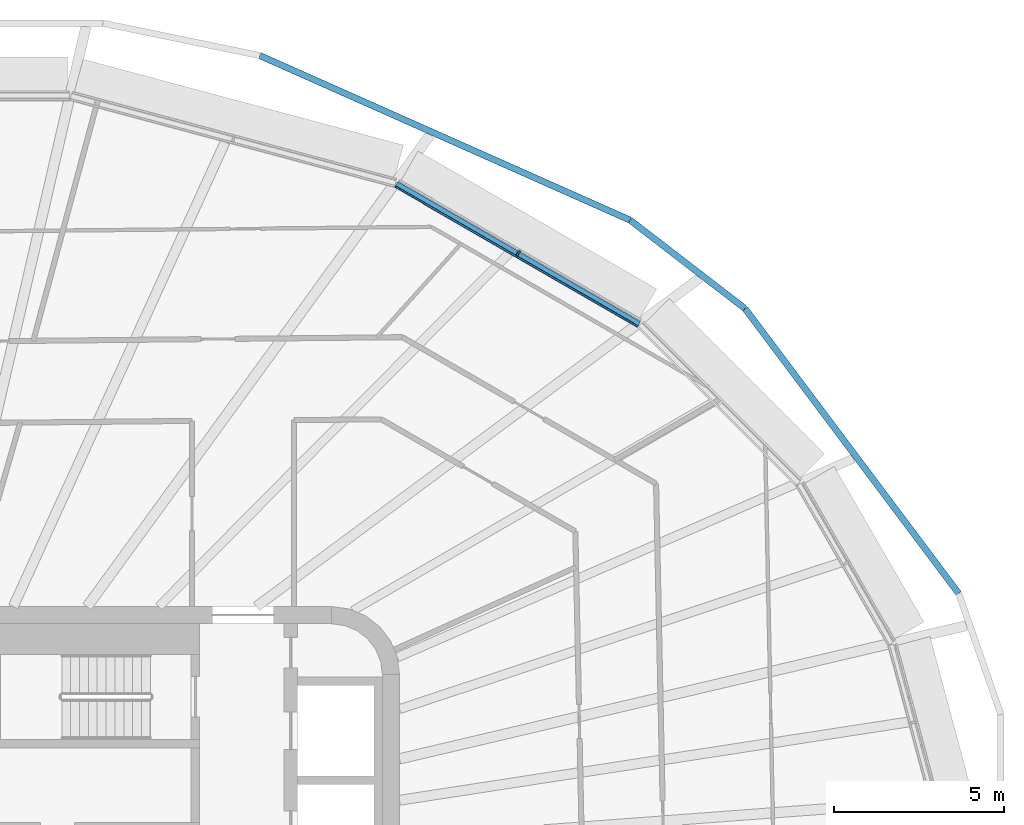
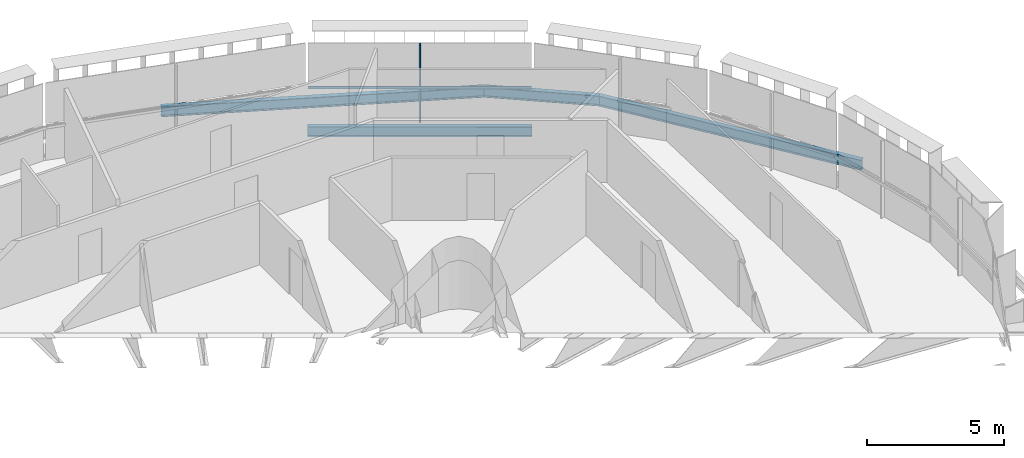
# One storey, part 7 of 21: 4 beams, 2 members, 1 element without a shape of its own.
"""IFC4 building model written with IfcOpenShell, lengths in metres."""

import ifcopenshell
import ifcopenshell.guid

model = None  # the IFC model being written
_history = None  # IfcOwnerHistory: only IFC2X3 demands one
_inside = {}  # id of a spatial element -> (the spatial element, [elements in it])
_under = {}  # id of a project, library or spatial element -> (it, [spatial elements below it])
_declared = {}  # id of a project -> (the project, [libraries it declares])
_typed = {}  # id of a type object -> (the type object, [elements of that type])
_made_of = {}  # id of a material, layer set ... -> (it, [elements and type objects made of it])


def new_model(schema):
    """Start an empty IFC model of exactly this schema.

    Asked for "IFC4X3", IfcOpenShell would pick the latest addendum, in which some entities
    have other attributes; the version numbers below select the first issue.
    IFC2X3 requires an IfcOwnerHistory on every rooted entity: one is made here for all.
    """
    global model, _history
    if schema == "IFC4X3":
        model = ifcopenshell.file(schema_version=(4, 3, 0, 0))
    else:
        model = ifcopenshell.file(schema=schema)
    _inside.clear()
    _under.clear()
    _declared.clear()
    _typed.clear()
    _made_of.clear()
    _history = None
    if model.schema == "IFC2X3":
        org = make("IfcOrganization", Name="unknown")
        user = make(
            "IfcPersonAndOrganization",
            ThePerson=make("IfcPerson", FamilyName="unknown"),
            TheOrganization=org,
        )
        app = make(
            "IfcApplication",
            ApplicationDeveloper=org,
            Version="unknown",
            ApplicationFullName="unknown",
            ApplicationIdentifier="unknown",
        )
        _history = make(
            "IfcOwnerHistory",
            OwningUser=user,
            OwningApplication=app,
            ChangeAction="ADDED",
            CreationDate=0,
        )
    return model


def make(cls, **values):
    """One entity of the class cls with the attributes given. An attribute that is None is left unset."""
    return model.create_entity(
        cls, **{name: value for name, value in values.items() if value is not None}
    )


def rooted(cls, **values):
    """An entity with a GlobalId (a new one), such as an element, a storey or a relation."""
    return make(cls, GlobalId=ifcopenshell.guid.new(), OwnerHistory=_history, **values)


def si_unit(unit_type, name, prefix=None):
    """IfcSIUnit, for example si_unit("LENGTHUNIT", "METRE", prefix="MILLI")."""
    return make("IfcSIUnit", UnitType=unit_type, Prefix=prefix, Name=name)


def assignment(units):
    """IfcUnitAssignment: the units of a project."""
    return None if units is None else make("IfcUnitAssignment", Units=units)


def point(xyz):
    """IfcCartesianPoint."""
    return None if xyz is None else make("IfcCartesianPoint", Coordinates=xyz)


def direction(xyz):
    """IfcDirection."""
    return None if xyz is None else make("IfcDirection", DirectionRatios=xyz)


def frame(location, z_axis=None, x_axis=None):
    """IfcAxis2Placement3D, a coordinate frame: its origin and axes. An axis left out is left unset."""
    return make(
        "IfcAxis2Placement3D",
        Location=point(location),
        Axis=direction(z_axis),
        RefDirection=direction(x_axis),
    )


def frame_2d(location, x_axis=None):
    """IfcAxis2Placement2D, a coordinate frame in the plane: its origin and x axis."""
    return make(
        "IfcAxis2Placement2D", Location=point(location), RefDirection=direction(x_axis)
    )


def origin():
    """The frame at (0, 0, 0) with its axes left unset."""
    return frame((0.0, 0.0, 0.0))


def origin_2d():
    """The frame at (0, 0) in the plane with its x axis left unset."""
    return frame_2d((0.0, 0.0))


def place(relative_to, where):
    """IfcLocalPlacement: puts the frame where relative to a parent placement (None: the world)."""
    return make(
        "IfcLocalPlacement", PlacementRelTo=relative_to, RelativePlacement=where
    )


def context(
    kind, dimensions, precision=None, world=None, true_north=None, identifier=None
):
    """IfcGeometricRepresentationContext, for example the 3D "Model" context."""
    return make(
        "IfcGeometricRepresentationContext",
        ContextIdentifier=identifier,
        ContextType=kind,
        CoordinateSpaceDimension=dimensions,
        Precision=precision,
        WorldCoordinateSystem=world,
        TrueNorth=true_north,
    )


def subcontext(parent, identifier, kind, view, scale=None):
    """IfcGeometricRepresentationSubContext, for example "Body" below "Model"."""
    return make(
        "IfcGeometricRepresentationSubContext",
        ContextIdentifier=identifier,
        ContextType=kind,
        ParentContext=parent,
        TargetScale=scale,
        TargetView=view,
    )


def project(units=None, contexts=None):
    """IfcProject with its units and contexts."""
    return rooted(
        "IfcProject",
        Name="project",
        RepresentationContexts=contexts,
        UnitsInContext=assignment(units),
    )


def spatial(cls, under=None, at=None, **own):
    """A site, building, storey or space (cls), placed at a placement, below another one or the project."""
    s = rooted(cls, ObjectPlacement=at, **own)
    if under is not None:
        _under.setdefault(under.id(), (under, []))[1].append(s)
    return s


def profile(cls, at=None, kind="AREA", **sizes):
    """A parametric profile (cls). Its sizes go by their IFC names, for example OverallWidth=200.0."""
    return make(cls, ProfileType=kind, Position=at, **sizes)


def rectangle(**sizes):
    """IfcRectangleProfileDef."""
    return profile("IfcRectangleProfileDef", **sizes)


def i_section(**sizes):
    """IfcIShapeProfileDef."""
    return profile("IfcIShapeProfileDef", **sizes)


def extrude(swept, where, along, depth):
    """IfcExtrudedAreaSolid: the profile swept, set in the frame where, extruded along a direction by depth."""
    return make(
        "IfcExtrudedAreaSolid",
        SweptArea=swept,
        Position=where,
        ExtrudedDirection=direction(along),
        Depth=depth,
    )


def shape(context_of_items, identifier, shape_type, items):
    """IfcShapeRepresentation: the items that make up one representation, for example the "Body"."""
    return make(
        "IfcShapeRepresentation",
        ContextOfItems=context_of_items,
        RepresentationIdentifier=identifier,
        RepresentationType=shape_type,
        Items=items,
    )


def material(Name=None, Category=None):
    """IfcMaterial."""
    return make("IfcMaterial", Name=Name, Category=Category)


def layer(
    of_material, thickness, ventilated=None, Name=None, Category=None, Priority=None
):
    """IfcMaterialLayer: one layer of a wall or slab, of a material (None: an air gap)."""
    return make(
        "IfcMaterialLayer",
        Material=of_material,
        LayerThickness=thickness,
        IsVentilated=ventilated,
        Name=Name,
        Category=Category,
        Priority=Priority,
    )


def layer_set(layers, Name=None):
    """IfcMaterialLayerSet."""
    return make("IfcMaterialLayerSet", MaterialLayers=layers, LayerSetName=Name)


def material_profile(
    of_material, cross_section, Name=None, Category=None, Priority=None
):
    """IfcMaterialProfile: a cross section and its material."""
    return make(
        "IfcMaterialProfile",
        Name=Name,
        Material=of_material,
        Profile=cross_section,
        Priority=Priority,
        Category=Category,
    )


def profile_set(profiles, Name=None, composite=None):
    """IfcMaterialProfileSet."""
    return make(
        "IfcMaterialProfileSet",
        Name=Name,
        MaterialProfiles=profiles,
        CompositeProfile=composite,
    )


def made_of(thing, what):
    """Note that an element or type object is made of a material, layer set ...; save() writes the relation."""
    if what is not None:
        _made_of.setdefault(what.id(), (what, []))[1].append(thing)
    return thing


def type_object(cls, material=None, **own):
    """A type object (cls), such as IfcWallType, which elements share."""
    return made_of(rooted(cls, **own), material)


def element(
    cls,
    number,
    at=None,
    inside=None,
    cuts=None,
    type_object=None,
    material=None,
    context=None,
    identifier="Body",
    shape_type=None,
    held_by="IfcProductDefinitionShape",
    body=None,
    shapes=None,
    **own,
):
    """One element of the class cls, such as IfcWall. Its Tag is "e" and its number.

    at: its placement. inside: the storey or other place that contains it. cuts: it is an
    opening in that element (IfcRelVoidsElement). A single representation is given by context,
    identifier, shape_type and body (its items); several are given by shapes. held_by: the class
    of the entity that holds the representations. save() writes the other relations.
    """
    e = rooted(cls, Tag="e%d" % number, ObjectPlacement=at, **own)
    if body is not None:
        shapes = [shape(context, identifier, shape_type, body)]
    if shapes is not None:
        e.Representation = make(held_by, Representations=shapes)
    if inside is not None:
        _inside.setdefault(inside.id(), (inside, []))[1].append(e)
    if cuts is not None:
        rooted(
            "IfcRelVoidsElement", RelatingBuildingElement=cuts, RelatedOpeningElement=e
        )
    if type_object is not None:
        _typed.setdefault(type_object.id(), (type_object, []))[1].append(e)
    return made_of(e, material)


def aggregate(whole, parts):
    """IfcRelAggregates: a whole, such as a stair, and the parts it consists of."""
    return rooted("IfcRelAggregates", RelatingObject=whole, RelatedObjects=parts)


def save(model, path):
    """Write the relations noted so far, then the file.

    IfcRelAggregates (storeys below a building ...), IfcRelContainedInSpatialStructure (elements
    in a storey), IfcRelDefinesByType, IfcRelAssociatesMaterial and IfcRelDeclares: one each for
    every whole, place, type object, material and project.
    """
    for whole, parts in _under.values():
        aggregate(whole, parts)
    for where, things in _inside.values():
        rooted(
            "IfcRelContainedInSpatialStructure",
            RelatedElements=things,
            RelatingStructure=where,
        )
    for kind, things in _typed.values():
        rooted("IfcRelDefinesByType", RelatedObjects=things, RelatingType=kind)
    for what, things in _made_of.values():
        rooted("IfcRelAssociatesMaterial", RelatedObjects=things, RelatingMaterial=what)
    for by, libraries in _declared.values():
        rooted("IfcRelDeclares", RelatingContext=by, RelatedDefinitions=libraries)
    model.write(path)


model = new_model("IFC4")

# Units and contexts
model_context = context("Model", 3, precision=1e-05, world=origin(), true_north=direction((0.0, 1.0)))
body_context = subcontext(model_context, "Body", "Model", "MODEL_VIEW")
ifc_project = project(units=[si_unit("LENGTHUNIT", "METRE"), si_unit("AREAUNIT", "SQUARE_METRE"), si_unit("VOLUMEUNIT", "CUBIC_METRE"), si_unit("PLANEANGLEUNIT", "RADIAN"), si_unit("MASSUNIT", "GRAM", prefix="KILO")], contexts=[model_context])

# Site, building, storey
site_placement = place(None, origin())
site = spatial("IfcSite", under=ifc_project, at=site_placement, CompositionType="ELEMENT")
building_placement = place(site_placement, origin())
building = spatial("IfcBuilding", under=site, at=building_placement, Name="Sahrelin Media Tower", CompositionType="ELEMENT")
storey_placement = place(building_placement, frame((0.0, 0.0, 193.60009765625)))
storey = spatial("IfcBuildingStorey", under=building, at=storey_placement, Name="L41", CompositionType="ELEMENT", Elevation=193.60009765625)

# Beam
ifc_material_1 = material(Name="Steel S355", Category="steel")
ifc_material_profile_1 = material_profile(ifc_material_1, i_section(OverallWidth=0.1904296875, OverallDepth=0.45703125, WebThickness=0.009033203125, FlangeThickness=0.014404296875, FilletRadius=0.01025390625, at=origin_2d()), Name="UB 457x191x74")
ifc_profile_set_1 = profile_set([ifc_material_profile_1], Name="Steel S355")
beam_type_1 = type_object("IfcBeamType", Name="Edge beam EB5", PredefinedType="BEAM", material=ifc_profile_set_1)
beam_1_placement = place(storey_placement, frame((14.901611328125, 20.40771484375, -0.378662109375), z_axis=(0.8660092336, -0.500028006535, 0.0), x_axis=(0.500028006535, 0.8660092336, 0.0)))
element("IfcBeam", 1, at=beam_1_placement, inside=storey, type_object=beam_type_1, Name="Edge beam L41-21", PredefinedType="BEAM", context=body_context, shape_type="SweptSolid", body=[
    extrude(i_section(OverallWidth=0.1904296875, OverallDepth=0.45703125, WebThickness=0.009033203125, FlangeThickness=0.014404296875, FilletRadius=0.01025390625, at=origin_2d()), origin(), (0.0, 0.0, 1.0), 8.23046875),
])

# Curtain wall, member
ifc_material_2 = material(Name="Champagne anodised aluminium 6063-T6", Category="aluminium")
ifc_layer = layer(ifc_material_2, 0.14990234375)
ifc_layer_set = layer_set([ifc_layer], Name="Tower ribbon curtain wall")
curtain_wall_type = type_object("IfcCurtainWallType", Name="Tower ribbon curtain wall", PredefinedType="NOTDEFINED", material=ifc_layer_set)
curtain_wall_placement = place(storey_placement, frame((18.54052734375, 18.47998046875, 0.0), z_axis=(0.0, 0.0, 1.0), x_axis=(1.0, 0.0, 0.0)))
curtain_wall = element("IfcCurtainWall", 2, at=curtain_wall_placement, inside=storey, type_object=curtain_wall_type, Name="L41:CW:L41-04", PredefinedType="NOTDEFINED")
ifc_material_profile_2 = material_profile(ifc_material_2, rectangle(XDim=0.06005859375, YDim=0.175048828125, at=origin_2d()), Name="Mullion 60x175")
ifc_profile_set_2 = profile_set([ifc_material_profile_2], Name="Champagne anodised aluminium 6063-T6")
member_type_1 = type_object("IfcMemberType", Name="Mullion 60x175 CW1B", PredefinedType="MULLION", material=ifc_profile_set_2)
member_1_placement = place(storey_placement, frame((18.48681640625, 18.38671875, 0.0), z_axis=(0.0, 0.0, 1.0), x_axis=(-0.86602365845, 0.500003022996, 0.0)))
member_1 = element("IfcMember", 3, at=member_1_placement, type_object=member_type_1, Name="L41:CWM:L41-04", PredefinedType="MULLION", context=body_context, shape_type="SweptSolid", body=[
    extrude(rectangle(XDim=0.06005859375, YDim=0.175048828125, at=origin_2d()), origin(), (0.0, 0.0, 1.0), 3.448486328125),
])

# Beams
ifc_material_profile_3 = material_profile(ifc_material_1, i_section(OverallWidth=0.1904296875, OverallDepth=0.45703125, WebThickness=0.009033203125, FlangeThickness=0.014404296875, FilletRadius=0.01025390625, at=origin_2d()), Name="UB 457x191x74")
ifc_profile_set_3 = profile_set([ifc_material_profile_3], Name="Steel S355")
beam_type_2 = type_object("IfcBeamType", Name="Tie chord TC5", PredefinedType="BEAM", material=ifc_profile_set_3)
beam_2_placement = place(storey_placement, frame((31.434814453125, 8.384033203125, -0.378662109375), z_axis=(-0.600055947805, 0.799958036089, 0.0), x_axis=(-0.799958036089, -0.600055947805, 0.0)))
element("IfcBeam", 4, at=beam_2_placement, inside=storey, type_object=beam_type_2, Name="Tie chord L41-02", PredefinedType="BEAM", context=body_context, shape_type="SweptSolid", body=[
    extrude(i_section(OverallWidth=0.1904296875, OverallDepth=0.45703125, WebThickness=0.009033203125, FlangeThickness=0.014404296875, FilletRadius=0.01025390625, at=origin_2d()), origin(), (0.0, 0.0, 1.0), 10.47265625),
])
beam_3_placement = place(storey_placement, frame((25.150634765625, 16.76171875, -0.378662109375), z_axis=(-0.792457678951, 0.609926903056, 0.0), x_axis=(-0.609926903056, -0.792457678951, 0.0)))
element("IfcBeam", 5, at=beam_3_placement, inside=storey, type_object=beam_type_2, Name="Tie chord L41-03", PredefinedType="BEAM", context=body_context, shape_type="SweptSolid", body=[
    extrude(i_section(OverallWidth=0.1904296875, OverallDepth=0.45703125, WebThickness=0.009033203125, FlangeThickness=0.014404296875, FilletRadius=0.01025390625, at=origin_2d()), origin(), (0.0, 0.0, 1.0), 4.25732421875),
])
beam_4_placement = place(storey_placement, frame((21.77685546875, 19.3583984375, -0.378662109375), z_axis=(-0.913828453148, 0.406100428733, 0.0), x_axis=(-0.406100428733, -0.913828453148, 0.0)))
element("IfcBeam", 6, at=beam_4_placement, inside=storey, type_object=beam_type_2, Name="Tie chord L41-04", PredefinedType="BEAM", context=body_context, shape_type="SweptSolid", body=[
    extrude(i_section(OverallWidth=0.1904296875, OverallDepth=0.45703125, WebThickness=0.009033203125, FlangeThickness=0.014404296875, FilletRadius=0.01025390625, at=origin_2d()), origin(), (0.0, 0.0, 1.0), 11.91064453125),
])

# Member
ifc_material_profile_4 = material_profile(ifc_material_2, rectangle(XDim=0.050048828125, YDim=0.110107421875, at=origin_2d()), Name="Transom 50x110")
ifc_profile_set_4 = profile_set([ifc_material_profile_4], Name="Champagne anodised aluminium 6063-T6")
member_type_2 = type_object("IfcMemberType", Name="Transom 50x110 CW1B", PredefinedType="USERDEFINED", material=ifc_profile_set_4)
member_2_placement = place(storey_placement, frame((21.980712890625, 16.239501953125, 1.599853515625), z_axis=(-0.866020958405, 0.500007699544, 0.0), x_axis=(-0.500007699544, -0.866020958405, 0.0)))
member_2 = element("IfcMember", 7, at=member_2_placement, type_object=member_type_2, Name="L41:CWT:L41-04", ObjectType="TRANSOM", PredefinedType="USERDEFINED", context=body_context, shape_type="SweptSolid", body=[
    extrude(rectangle(XDim=0.050048828125, YDim=0.110107421875, at=origin_2d()), origin(), (0.0, 0.0, 1.0), 8.198974609375),
])

aggregate(curtain_wall, [member_1, member_2])

save(model, "model.ifc")
